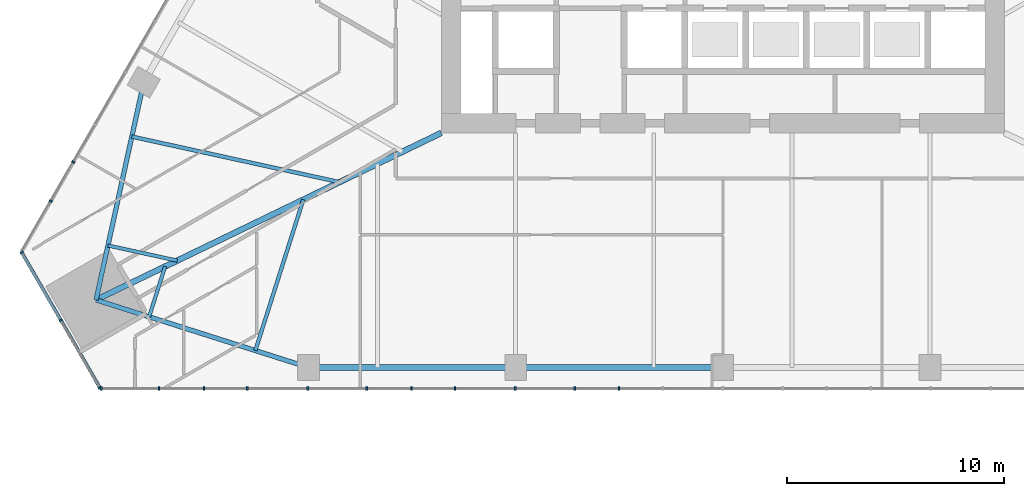
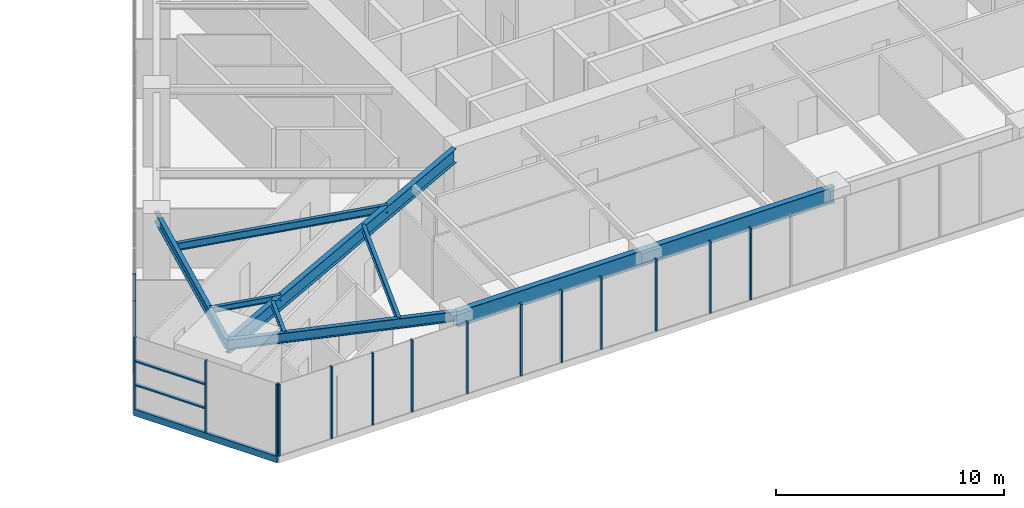
# One storey, part 2 of 26: 19 members, 8 beams, 3 elements without a shape of their own.
"""IFC4 building model written with IfcOpenShell, lengths in metres."""

from ifc_helpers import new_model, si_unit, direction, frame, origin, origin_2d, place, context, subcontext, project, spatial, rectangle, i_section, extrude, material, layer, layer_set, material_profile, profile_set, type_object, element, aggregate, save


model = new_model("IFC4")

# Units and contexts
model_context = context("Model", 3, precision=1e-05, world=origin(), true_north=direction((0.0, 1.0)))
body_context = subcontext(model_context, "Body", "Model", "MODEL_VIEW")
ifc_project = project(units=[si_unit("LENGTHUNIT", "METRE"), si_unit("AREAUNIT", "SQUARE_METRE"), si_unit("VOLUMEUNIT", "CUBIC_METRE"), si_unit("PLANEANGLEUNIT", "RADIAN"), si_unit("MASSUNIT", "GRAM", prefix="KILO")], contexts=[model_context])

# Site, building, storey
site_placement = place(None, origin())
site = spatial("IfcSite", under=ifc_project, at=site_placement, CompositionType="ELEMENT")
building_placement = place(site_placement, origin())
building = spatial("IfcBuilding", under=site, at=building_placement, Name="Firuza Gate Tower and Library", CompositionType="ELEMENT")
storey_placement = place(building_placement, frame((0.0, 0.0, 52.60009765625)))
storey = spatial("IfcBuildingStorey", under=building, at=storey_placement, Name="L11", CompositionType="ELEMENT", Elevation=52.60009765625)

# Curtain wall, members
ifc_material_1 = material(Name="Aluminium 6063-T6", Category="aluminium")
ifc_layer_1 = layer(ifc_material_1, 0.14990234375)
ifc_layer_set_1 = layer_set([ifc_layer_1], Name="Unitised curtain wall, offices")
curtain_wall_type_1 = type_object("IfcCurtainWallType", Name="Unitised curtain wall, offices", PredefinedType="NOTDEFINED", material=ifc_layer_set_1)
placement = place(storey_placement, origin())
curtain_wall_1 = element("IfcCurtainWall", 1, at=placement, inside=storey, type_object=curtain_wall_type_1, Name="CW1 L11 S face", PredefinedType="NOTDEFINED")
ifc_material_2 = material(Name="Aluminium 6063-T6", Category="aluminium")
ifc_material_profile_1 = material_profile(ifc_material_2, rectangle(XDim=0.14990234375, YDim=0.080078125, at=origin_2d()))
ifc_profile_set_1 = profile_set([ifc_material_profile_1], Name="Aluminium 6063-T6")
member_type_1 = type_object("IfcMemberType", Name="Curtain wall mullion 80x150", PredefinedType="MULLION", material=ifc_profile_set_1)
member_1_placement = place(storey_placement, frame((46.294921875, 54.197265625, 0.14990234375), z_axis=(0.0, 0.0, 1.0), x_axis=(0.0, 1.0, 0.0)))
member_1 = element("IfcMember", 2, at=member_1_placement, type_object=member_type_1, Name="Mullion", PredefinedType="MULLION", context=body_context, shape_type="SweptSolid", body=[
    extrude(rectangle(XDim=0.14990234375, YDim=0.080078125, at=origin_2d()), origin(), (0.0, 0.0, 1.0), 3.85009765625),
])
member_2_placement = place(storey_placement, frame((51.0458984375, 54.197265625, 0.14990234375), z_axis=(0.0, 0.0, 1.0), x_axis=(0.0, 1.0, 0.0)))
member_2 = element("IfcMember", 3, at=member_2_placement, type_object=member_type_1, Name="Mullion", PredefinedType="MULLION", context=body_context, shape_type="SweptSolid", body=[
    extrude(rectangle(XDim=0.14990234375, YDim=0.080078125, at=origin_2d()), origin(), (0.0, 0.0, 1.0), 3.85009765625),
])
member_3_placement = place(storey_placement, frame((55.836669921875, 54.197265625, 0.14990234375), z_axis=(0.0, 0.0, 1.0), x_axis=(0.0, 1.0, 0.0)))
member_3 = element("IfcMember", 4, at=member_3_placement, type_object=member_type_1, Name="Mullion", PredefinedType="MULLION", context=body_context, shape_type="SweptSolid", body=[
    extrude(rectangle(XDim=0.14990234375, YDim=0.080078125, at=origin_2d()), origin(), (0.0, 0.0, 1.0), 3.85009765625),
])
member_4_placement = place(storey_placement, frame((60.62744140625, 54.197265625, 0.14990234375), z_axis=(0.0, 0.0, 1.0), x_axis=(0.0, 1.0, 0.0)))
member_4 = element("IfcMember", 5, at=member_4_placement, type_object=member_type_1, Name="Mullion", PredefinedType="MULLION", context=body_context, shape_type="SweptSolid", body=[
    extrude(rectangle(XDim=0.14990234375, YDim=0.080078125, at=origin_2d()), origin(), (0.0, 0.0, 1.0), 3.85009765625),
])
member_5_placement = place(storey_placement, frame((65.41845703125, 54.197265625, 0.14990234375), z_axis=(0.0, 0.0, 1.0), x_axis=(0.0, 1.0, 0.0)))
member_5 = element("IfcMember", 6, at=member_5_placement, type_object=member_type_1, Name="Mullion", PredefinedType="MULLION", context=body_context, shape_type="SweptSolid", body=[
    extrude(rectangle(XDim=0.14990234375, YDim=0.080078125, at=origin_2d()), origin(), (0.0, 0.0, 1.0), 3.85009765625),
])
member_6_placement = place(storey_placement, frame((70.209228515625, 54.197265625, 0.14990234375), z_axis=(0.0, 0.0, 1.0), x_axis=(0.0, 1.0, 0.0)))
member_6 = element("IfcMember", 7, at=member_6_placement, type_object=member_type_1, Name="Mullion", PredefinedType="MULLION", context=body_context, shape_type="SweptSolid", body=[
    extrude(rectangle(XDim=0.14990234375, YDim=0.080078125, at=origin_2d()), origin(), (0.0, 0.0, 1.0), 3.85009765625),
])
member_7_placement = place(storey_placement, frame((48.96240234375, 54.197265625, 0.14990234375), z_axis=(0.0, 0.0, 1.0), x_axis=(0.0, 1.0, 0.0)))
member_7 = element("IfcMember", 8, at=member_7_placement, type_object=member_type_1, Name="Mullion", PredefinedType="MULLION", context=body_context, shape_type="SweptSolid", body=[
    extrude(rectangle(XDim=0.14990234375, YDim=0.080078125, at=origin_2d()), origin(), (0.0, 0.0, 1.0), 3.85009765625),
])
member_8_placement = place(storey_placement, frame((53.03759765625, 54.197265625, 0.14990234375), z_axis=(0.0, 0.0, 1.0), x_axis=(0.0, 1.0, 0.0)))
member_8 = element("IfcMember", 9, at=member_8_placement, type_object=member_type_1, Name="Mullion", PredefinedType="MULLION", context=body_context, shape_type="SweptSolid", body=[
    extrude(rectangle(XDim=0.14990234375, YDim=0.080078125, at=origin_2d()), origin(), (0.0, 0.0, 1.0), 3.85009765625),
])
member_9_placement = place(storey_placement, frame((58.5625, 54.197265625, 0.14990234375), z_axis=(0.0, 0.0, 1.0), x_axis=(0.0, 1.0, 0.0)))
member_9 = element("IfcMember", 10, at=member_9_placement, type_object=member_type_1, Name="Mullion", PredefinedType="MULLION", context=body_context, shape_type="SweptSolid", body=[
    extrude(rectangle(XDim=0.14990234375, YDim=0.080078125, at=origin_2d()), origin(), (0.0, 0.0, 1.0), 3.85009765625),
])
member_10_placement = place(storey_placement, frame((62.6376953125, 54.197265625, 0.14990234375), z_axis=(0.0, 0.0, 1.0), x_axis=(0.0, 1.0, 0.0)))
member_10 = element("IfcMember", 11, at=member_10_placement, type_object=member_type_1, Name="Mullion", PredefinedType="MULLION", context=body_context, shape_type="SweptSolid", body=[
    extrude(rectangle(XDim=0.14990234375, YDim=0.080078125, at=origin_2d()), origin(), (0.0, 0.0, 1.0), 3.85009765625),
])
member_11_placement = place(storey_placement, frame((68.162353515625, 54.197265625, 0.14990234375), z_axis=(0.0, 0.0, 1.0), x_axis=(0.0, 1.0, 0.0)))
member_11 = element("IfcMember", 12, at=member_11_placement, type_object=member_type_1, Name="Mullion", PredefinedType="MULLION", context=body_context, shape_type="SweptSolid", body=[
    extrude(rectangle(XDim=0.14990234375, YDim=0.080078125, at=origin_2d()), origin(), (0.0, 0.0, 1.0), 3.85009765625),
])
aggregate(curtain_wall_1, [member_1, member_2, member_3, member_4, member_5, member_6, member_7, member_8, member_9, member_10, member_11])

curtain_wall_2 = element("IfcCurtainWall", 13, at=placement, inside=storey, type_object=curtain_wall_type_1, Name="CW1 L11 W face", PredefinedType="NOTDEFINED")
member_12_placement = place(storey_placement, frame((45.007080078125, 64.656494140625, 0.14990234375), z_axis=(0.0, 0.0, 1.0), x_axis=(0.866025403784, -0.5, 0.0)))
member_12 = element("IfcMember", 14, at=member_12_placement, type_object=member_type_1, Name="Mullion", PredefinedType="MULLION", context=body_context, shape_type="SweptSolid", body=[
    extrude(rectangle(XDim=0.14990234375, YDim=0.080078125, at=origin_2d()), origin(), (0.0, 0.0, 1.0), 3.85009765625),
])
member_13_placement = place(storey_placement, frame((43.96533203125, 62.852294921875, 0.14990234375), z_axis=(0.0, 0.0, 1.0), x_axis=(0.866025403784, -0.5, 0.0)))
member_13 = element("IfcMember", 15, at=member_13_placement, type_object=member_type_1, Name="Mullion", PredefinedType="MULLION", context=body_context, shape_type="SweptSolid", body=[
    extrude(rectangle(XDim=0.14990234375, YDim=0.080078125, at=origin_2d()), origin(), (0.0, 0.0, 1.0), 3.85009765625),
])
aggregate(curtain_wall_2, [member_12, member_13])

ifc_material_3 = material(Name="Aluminium 6063-T6", Category="aluminium")
ifc_layer_2 = layer(ifc_material_3, 0.14990234375)
ifc_layer_set_2 = layer_set([ifc_layer_2], Name="Corner curtain wall, chamfers")
curtain_wall_type_2 = type_object("IfcCurtainWallType", Name="Corner curtain wall, chamfers", PredefinedType="NOTDEFINED", material=ifc_layer_set_2)
curtain_wall_3 = element("IfcCurtainWall", 16, at=placement, inside=storey, type_object=curtain_wall_type_2, Name="CW4 L11 SW corner", PredefinedType="NOTDEFINED")
member_14_placement = place(storey_placement, frame((42.631591796875, 60.472900390625, 0.14990234375), z_axis=(0.0, 0.0, 1.0), x_axis=(0.866025403784, 0.5, 0.0)))
member_14 = element("IfcMember", 17, at=member_14_placement, type_object=member_type_1, Name="Mullion", PredefinedType="MULLION", context=body_context, shape_type="SweptSolid", body=[
    extrude(rectangle(XDim=0.14990234375, YDim=0.080078125, at=origin_2d()), origin(), (0.0, 0.0, 1.0), 3.85009765625),
])
member_15_placement = place(storey_placement, frame((44.433349609375, 57.352294921875, 0.14990234375), z_axis=(0.0, 0.0, 1.0), x_axis=(0.866025403784, 0.5, 0.0)))
member_15 = element("IfcMember", 18, at=member_15_placement, type_object=member_type_1, Name="Mullion", PredefinedType="MULLION", context=body_context, shape_type="SweptSolid", body=[
    extrude(rectangle(XDim=0.14990234375, YDim=0.080078125, at=origin_2d()), origin(), (0.0, 0.0, 1.0), 3.85009765625),
])
member_16_placement = place(storey_placement, frame((46.235107421875, 54.231689453125, 0.14990234375), z_axis=(0.0, 0.0, 1.0), x_axis=(0.866025403784, 0.5, 0.0)))
member_16 = element("IfcMember", 19, at=member_16_placement, type_object=member_type_1, Name="Mullion", PredefinedType="MULLION", context=body_context, shape_type="SweptSolid", body=[
    extrude(rectangle(XDim=0.14990234375, YDim=0.080078125, at=origin_2d()), origin(), (0.0, 0.0, 1.0), 3.85009765625),
])
ifc_material_4 = material(Name="Aluminium 6063-T6", Category="aluminium")
ifc_material_profile_2 = material_profile(ifc_material_4, rectangle(XDim=0.14990234375, YDim=0.35009765625, at=origin_2d()))
ifc_profile_set_2 = profile_set([ifc_material_profile_2], Name="Aluminium 6063-T6")
member_type_2 = type_object("IfcMemberType", Name="Curtain wall transom 350x150", PredefinedType="USERDEFINED", material=ifc_profile_set_2)
member_17_placement = place(storey_placement, frame((42.61181640625, 60.507568359375, -0.025146484375), z_axis=(0.500005719219, -0.866022101766, 0.0), x_axis=(0.866022101766, 0.500005719219, 0.0)))
member_17 = element("IfcMember", 20, at=member_17_placement, type_object=member_type_2, Name="Transom", ObjectType="TRANSOM", PredefinedType="USERDEFINED", context=body_context, shape_type="SweptSolid", body=[
    extrude(rectangle(XDim=0.14990234375, YDim=0.35009765625, at=origin_2d()), origin(), (0.0, 0.0, 1.0), 7.28662109375),
])
ifc_material_5 = material(Name="Aluminium 6063-T6", Category="aluminium")
ifc_material_profile_3 = material_profile(ifc_material_5, rectangle(XDim=0.14990234375, YDim=0.080078125, at=origin_2d()))
ifc_profile_set_3 = profile_set([ifc_material_profile_3], Name="Aluminium 6063-T6")
member_type_3 = type_object("IfcMemberType", Name="Curtain wall transom 80x150", PredefinedType="USERDEFINED", material=ifc_profile_set_3)
member_18_placement = place(storey_placement, frame((42.631591796875, 60.472900390625, 1.449951171875), z_axis=(0.500015035186, -0.866016723041, 0.0), x_axis=(0.866016723041, 0.500015035186, 0.0)))
member_18 = element("IfcMember", 21, at=member_18_placement, type_object=member_type_3, Name="Transom", ObjectType="TRANSOM", PredefinedType="USERDEFINED", context=body_context, shape_type="SweptSolid", body=[
    extrude(rectangle(XDim=0.14990234375, YDim=0.080078125, at=origin_2d()), origin(), (0.0, 0.0, 1.0), 3.5634765625),
])
member_19_placement = place(storey_placement, frame((42.631591796875, 60.472900390625, 2.724853515625), z_axis=(0.500015035186, -0.866016723041, 0.0), x_axis=(0.866016723041, 0.500015035186, 0.0)))
member_19 = element("IfcMember", 22, at=member_19_placement, type_object=member_type_3, Name="Transom", ObjectType="TRANSOM", PredefinedType="USERDEFINED", context=body_context, shape_type="SweptSolid", body=[
    extrude(rectangle(XDim=0.14990234375, YDim=0.080078125, at=origin_2d()), origin(), (0.0, 0.0, 1.0), 3.5634765625),
])
aggregate(curtain_wall_3, [member_14, member_15, member_16, member_17, member_18, member_19])

# Beams
ifc_material_6 = material(Name="Steel S355", Category="steel")
ifc_material_profile_4 = material_profile(ifc_material_6, i_section(OverallWidth=0.1650390625, OverallDepth=0.31005859375, WebThickness=0.005859375, FlangeThickness=0.009765625, at=origin_2d()))
ifc_profile_set_4 = profile_set([ifc_material_profile_4], Name="Steel S355")
beam_type_1 = type_object("IfcBeamType", Name="W310x39 Floor beam", PredefinedType="JOIST", material=ifc_profile_set_4)
beam_1_placement = place(storey_placement, frame((46.608154296875, 60.80322265625, 3.844970703125), z_axis=(0.976795755161, -0.21417295044, 0.0), x_axis=(0.21417295044, 0.976795755161, 0.0)))
element("IfcBeam", 23, at=beam_1_placement, inside=storey, type_object=beam_type_1, Name="Floor beam L11 s01", PredefinedType="JOIST", context=body_context, shape_type="SweptSolid", body=[
    extrude(i_section(OverallWidth=0.1650390625, OverallDepth=0.31005859375, WebThickness=0.005859375, FlangeThickness=0.009765625, at=origin_2d()), origin(), (0.0, 0.0, 1.0), 3.272705078125),
])
beam_2_placement = place(storey_placement, frame((48.50927734375, 57.510498046875, 3.844970703125), z_axis=(0.302881069843, 0.953028361346, 0.0), x_axis=(-0.953028361346, 0.302881069843, 0.0)))
element("IfcBeam", 24, at=beam_2_placement, inside=storey, type_object=beam_type_1, Name="Floor beam L11 s10", PredefinedType="JOIST", context=body_context, shape_type="SweptSolid", body=[
    extrude(i_section(OverallWidth=0.1650390625, OverallDepth=0.31005859375, WebThickness=0.005859375, FlangeThickness=0.009765625, at=origin_2d()), origin(), (0.0, 0.0, 1.0), 2.436767578125),
])
ifc_material_7 = material(Name="Steel S355", Category="steel")
ifc_material_profile_5 = material_profile(ifc_material_7, i_section(OverallWidth=0.1708984375, OverallDepth=0.35498046875, WebThickness=0.007080078125, FlangeThickness=0.01171875, at=origin_2d()))
ifc_profile_set_5 = profile_set([ifc_material_profile_5], Name="Steel S355")
beam_type_2 = type_object("IfcBeamType", Name="W360x51 Floor beam", PredefinedType="JOIST", material=ifc_profile_set_5)
beam_3_placement = place(storey_placement, frame((53.413330078125, 55.95166015625, 3.822509765625), z_axis=(0.302941735261, 0.9530090792, 0.0), x_axis=(-0.9530090792, 0.302941735261, 0.0)))
element("IfcBeam", 25, at=beam_3_placement, inside=storey, type_object=beam_type_2, Name="Floor beam L11 s11", PredefinedType="JOIST", context=body_context, shape_type="SweptSolid", body=[
    extrude(i_section(OverallWidth=0.1708984375, OverallDepth=0.35498046875, WebThickness=0.007080078125, FlangeThickness=0.01171875, at=origin_2d()), origin(), (0.0, 0.0, 1.0), 7.310302734375),
])
ifc_material_8 = material(Name="Steel S355", Category="steel")
ifc_material_profile_6 = material_profile(ifc_material_8, i_section(OverallWidth=0.177978515625, OverallDepth=0.406982421875, WebThickness=0.0078125, FlangeThickness=0.0126953125, at=origin_2d()))
ifc_profile_set_6 = profile_set([ifc_material_profile_6], Name="Steel S355")
beam_type_3 = type_object("IfcBeamType", Name="W410x60 Floor beam", PredefinedType="JOIST", material=ifc_profile_set_6)
beam_4_placement = place(storey_placement, frame((47.710205078125, 65.82958984375, 3.79638671875), z_axis=(0.976798676094, -0.214159628272, 0.0), x_axis=(0.214159628272, 0.976798676094, 0.0)))
element("IfcBeam", 26, at=beam_4_placement, inside=storey, type_object=beam_type_3, Name="Floor beam L11 s00", PredefinedType="JOIST", context=body_context, shape_type="SweptSolid", body=[
    extrude(i_section(OverallWidth=0.177978515625, OverallDepth=0.406982421875, WebThickness=0.0078125, FlangeThickness=0.0126953125, at=origin_2d()), origin(), (0.0, 0.0, 1.0), 9.817626953125),
])
ifc_material_9 = material(Name="Steel S355", Category="steel")
ifc_material_profile_7 = material_profile(ifc_material_9, i_section(OverallWidth=0.212890625, OverallDepth=0.5390625, WebThickness=0.01171875, FlangeThickness=0.018798828125, at=origin_2d()))
ifc_profile_set_7 = profile_set([ifc_material_profile_7], Name="Steel S355")
beam_type_4 = type_object("IfcBeamType", Name="W530x109 Edge beam", PredefinedType="SPANDREL", material=ifc_profile_set_7)
for number, where, z_axis, x_axis, name in (
    (27, (48.26123046875, 68.343017578125, 3.73046875), (-0.214156691919, -0.976799319874, 0.0), (0.976799319874, -0.214156691919, 0.0), "Edge beam L11 e00"),
    (28, (46.05712890625, 58.289794921875, 3.73046875), (0.953014528188, -0.30292459303, 0.0), (0.30292459303, 0.953014528188, 0.0), "Edge beam L11 e10"),
):
    element("IfcBeam", number, at=place(storey_placement, frame(where, z_axis=z_axis, x_axis=x_axis)), inside=storey, type_object=beam_type_4, Name=name, PredefinedType="SPANDREL", context=body_context, shape_type="SweptSolid", body=[
        extrude(i_section(OverallWidth=0.212890625, OverallDepth=0.5390625, WebThickness=0.01171875, FlangeThickness=0.018798828125, at=origin_2d()), origin(), (0.0, 0.0, 1.0), 10.2919921875),
    ])
ifc_material_10 = material(Name="Steel S355", Category="steel")
ifc_material_profile_8 = material_profile(ifc_material_10, i_section(OverallWidth=0.264892578125, OverallDepth=0.7529296875, WebThickness=0.01318359375, FlangeThickness=0.01708984375, at=origin_2d()))
ifc_profile_set_8 = profile_set([ifc_material_profile_8], Name="Steel S355")
beam_type_5 = type_object("IfcBeamType", Name="W760x147 Girder", PredefinedType="BEAM", material=ifc_profile_set_8)
beam_5_placement = place(storey_placement, frame((46.05712890625, 58.289794921875, 3.623291015625), z_axis=(0.900249724041, 0.435373901794, 0.0), x_axis=(-0.435373901794, 0.900249724041, 0.0)))
element("IfcBeam", 29, at=beam_5_placement, inside=storey, type_object=beam_type_5, Name="Girder L11 gSW", PredefinedType="BEAM", context=body_context, shape_type="SweptSolid", body=[
    extrude(i_section(OverallWidth=0.264892578125, OverallDepth=0.7529296875, WebThickness=0.01318359375, FlangeThickness=0.01708984375, at=origin_2d()), origin(), (0.0, 0.0, 1.0), 17.70947265625),
])
ifc_material_11 = material(Name="Steel S355", Category="steel")
ifc_material_profile_9 = material_profile(ifc_material_11, i_section(OverallWidth=0.2919921875, OverallDepth=0.8349609375, WebThickness=0.013916015625, FlangeThickness=0.018798828125, at=origin_2d()))
ifc_profile_set_9 = profile_set([ifc_material_profile_9], Name="Steel S355")
beam_type_6 = type_object("IfcBeamType", Name="W840x176 Edge beam", PredefinedType="SPANDREL", material=ifc_profile_set_9)
beam_6_placement = place(storey_placement, frame((55.865478515625, 55.172119140625, 3.58251953125), z_axis=(1.0, 0.0, 0.0), x_axis=(0.0, 1.0, 0.0)))
element("IfcBeam", 30, at=beam_6_placement, inside=storey, type_object=beam_type_6, Name="Edge beam L11 e20", PredefinedType="SPANDREL", context=body_context, shape_type="SweptSolid", body=[
    extrude(i_section(OverallWidth=0.2919921875, OverallDepth=0.8349609375, WebThickness=0.013916015625, FlangeThickness=0.018798828125, at=origin_2d()), origin(), (0.0, 0.0, 1.0), 19.134521484375),
])

save(model, "model.ifc")
